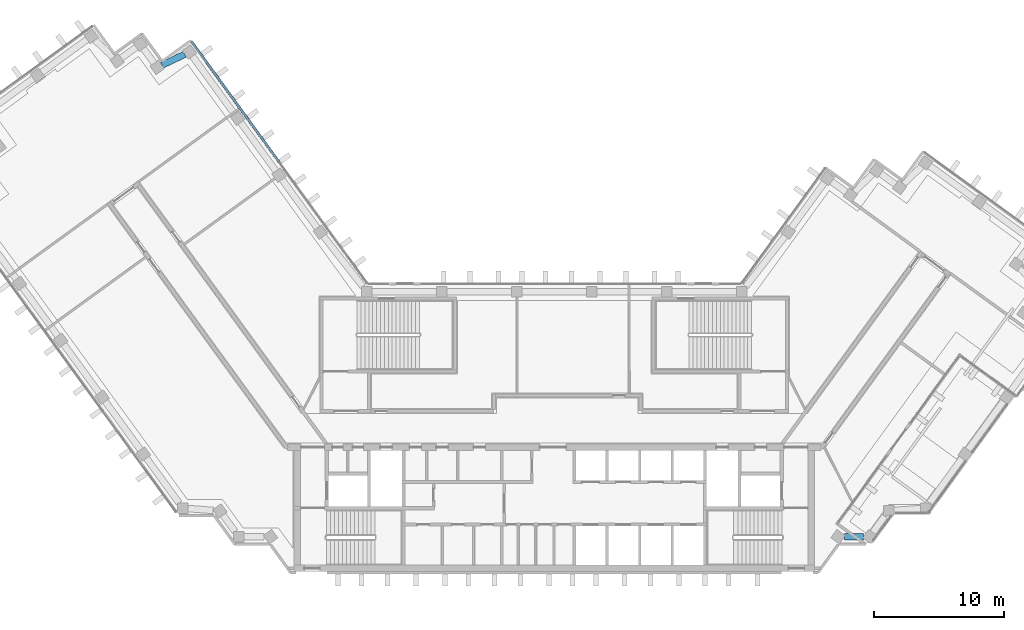
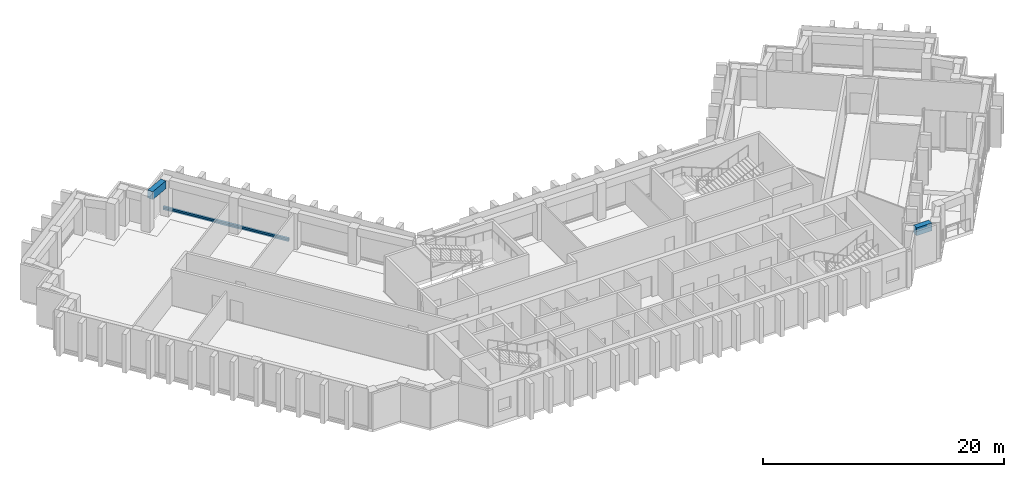
"""IFC4 building model written with IfcOpenShell, lengths in metres."""

from ifc_helpers import new_model, si_unit, direction, frame, origin, origin_2d, place, context, subcontext, project, spatial, rectangle, extrude, material, material_profile, profile_set, type_object, element, aggregate, save


model = new_model("IFC4")

# Units and contexts
model_context = context("Model", 3, precision=1e-05, world=origin(), true_north=direction((0.0, 1.0)))
body_context = subcontext(model_context, "Body", "Model", "MODEL_VIEW")
ifc_project = project(units=[si_unit("LENGTHUNIT", "METRE"), si_unit("AREAUNIT", "SQUARE_METRE"), si_unit("VOLUMEUNIT", "CUBIC_METRE"), si_unit("PLANEANGLEUNIT", "RADIAN"), si_unit("MASSUNIT", "GRAM", prefix="KILO")], contexts=[model_context])

# Site, building, storey
site_placement = place(None, origin())
site = spatial("IfcSite", under=ifc_project, at=site_placement, CompositionType="ELEMENT")
building_placement = place(site_placement, origin())
building = spatial("IfcBuilding", under=site, at=building_placement, Name="Quipu Civic Tower", CompositionType="ELEMENT")
storey_1_placement = place(building_placement, frame((0.0, 0.0, 206.0)))
storey_1 = spatial("IfcBuildingStorey", under=building, at=storey_1_placement, Name="L48", CompositionType="ELEMENT", Elevation=206.0)

# Beams
ifc_material_1 = material(Name="Concrete C50/60", Category="concrete")
ifc_material_profile_1 = material_profile(ifc_material_1, rectangle(XDim=0.5, YDim=0.800048828125, at=origin_2d()), Name="RC500x800")
ifc_profile_set_1 = profile_set([ifc_material_profile_1], Name="Concrete C50/60")
beam_type = type_object("IfcBeamType", Name="Spandrel beam RC 500x800 C50/60", PredefinedType="SPANDREL", material=ifc_profile_set_1)
beam_1_placement = place(storey_1_placement, frame((-28.38720703125, 28.72998046875, 3.25), z_axis=(-0.902584802379, -0.430512107279, 0.0), x_axis=(0.430512107279, -0.902584802379, 0.0)))
element("IfcBeam", 1, at=beam_1_placement, inside=storey_1, type_object=beam_type, Name="Spandrel beam L48 T-Wi.0-W34 to T-Wi.1-W34", PredefinedType="SPANDREL", context=body_context, shape_type="SweptSolid", body=[
    extrude(rectangle(XDim=0.5, YDim=0.800048828125, at=origin_2d()), origin(), (0.0, 0.0, 1.0), 1.9326171875),
])
beam_2_placement = place(storey_1_placement, frame((22.2861328125, -8.31494140625, 3.25), z_axis=(1.0, 0.0, 0.0), x_axis=(0.0, 1.0, 0.0)))
element("IfcBeam", 2, at=beam_2_placement, inside=storey_1, type_object=beam_type, Name="Spandrel beam L48 J-Eo.1 to J-Eo.2", PredefinedType="SPANDREL", context=body_context, shape_type="SweptSolid", body=[
    extrude(rectangle(XDim=0.5, YDim=0.800048828125, at=origin_2d()), origin(), (0.0, 0.0, 1.0), 1.454345703125),
])

# Storey
storey_2_placement = place(building_placement, frame((0.0, 0.0, 198.0)))
storey_2 = spatial("IfcBuildingStorey", under=building, at=storey_2_placement, Name="L46", CompositionType="ELEMENT", Elevation=198.0)

# Curtain wall, member
ifc_material_2 = material(Name="Insulated glass unit", Category="glass")
curtain_wall_type = type_object("IfcCurtainWallType", Name="Office curtain wall CW1", PredefinedType="NOTDEFINED", material=ifc_material_2)
curtain_wall_1_placement = place(storey_2_placement, origin())
curtain_wall_1 = element("IfcCurtainWall", 3, at=curtain_wall_1_placement, inside=storey_2, type_object=curtain_wall_type, Name="Office curtain wall CW1 L45 run 17", PredefinedType="NOTDEFINED")
ifc_material_3 = material(Name="Anodised aluminium", Category="aluminium")
ifc_material_profile_2 = material_profile(ifc_material_3, rectangle(XDim=0.199951171875, YDim=0.159912109375, at=origin_2d()), Name="RECT 200x160")
ifc_profile_set_2 = profile_set([ifc_material_profile_2], Name="Anodised aluminium")
member_type = type_object("IfcMemberType", Name="Transom CW1", PredefinedType="USERDEFINED", material=ifc_profile_set_2)
member_1_placement = place(storey_1_placement, frame((-21.140380859375, 20.453857421875, 0.0), z_axis=(-0.587775682251, 0.809023947331, 0.0), x_axis=(-0.809023947331, -0.587775682251, 0.0)))
member_1 = element("IfcMember", 4, at=member_1_placement, inside=storey_1, type_object=member_type, Name="CW1 transom 2.4", ObjectType="TRANSOM", PredefinedType="USERDEFINED", context=body_context, shape_type="SweptSolid", body=[
    extrude(rectangle(XDim=0.199951171875, YDim=0.159912109375, at=origin_2d()), origin(), (0.0, 0.0, 1.0), 11.402099609375),
])
aggregate(curtain_wall_1, [member_1])

# Storey
storey_3_placement = place(building_placement, frame((0.0, 0.0, 210.0)))
storey_3 = spatial("IfcBuildingStorey", under=building, at=storey_3_placement, Name="L49", CompositionType="ELEMENT", Elevation=210.0)

# Curtain wall, member
curtain_wall_2_placement = place(storey_3_placement, origin())
curtain_wall_2 = element("IfcCurtainWall", 5, at=curtain_wall_2_placement, inside=storey_3, type_object=curtain_wall_type, Name="Office curtain wall CW1 L48 run 8", PredefinedType="NOTDEFINED")
member_2_placement = place(storey_1_placement, frame((-21.140380859375, 20.453857421875, 0.159912109375), z_axis=(-0.587775682251, 0.809023947331, 0.0), x_axis=(-0.809023947331, -0.587775682251, 0.0)))
member_2 = element("IfcMember", 6, at=member_2_placement, inside=storey_1, type_object=member_type, Name="CW1 transom 2.1", ObjectType="TRANSOM", PredefinedType="USERDEFINED", context=body_context, shape_type="SweptSolid", body=[
    extrude(rectangle(XDim=0.199951171875, YDim=0.159912109375, at=origin_2d()), origin(), (0.0, 0.0, 1.0), 11.402099609375),
])
aggregate(curtain_wall_2, [member_2])

save(model, "model.ifc")
